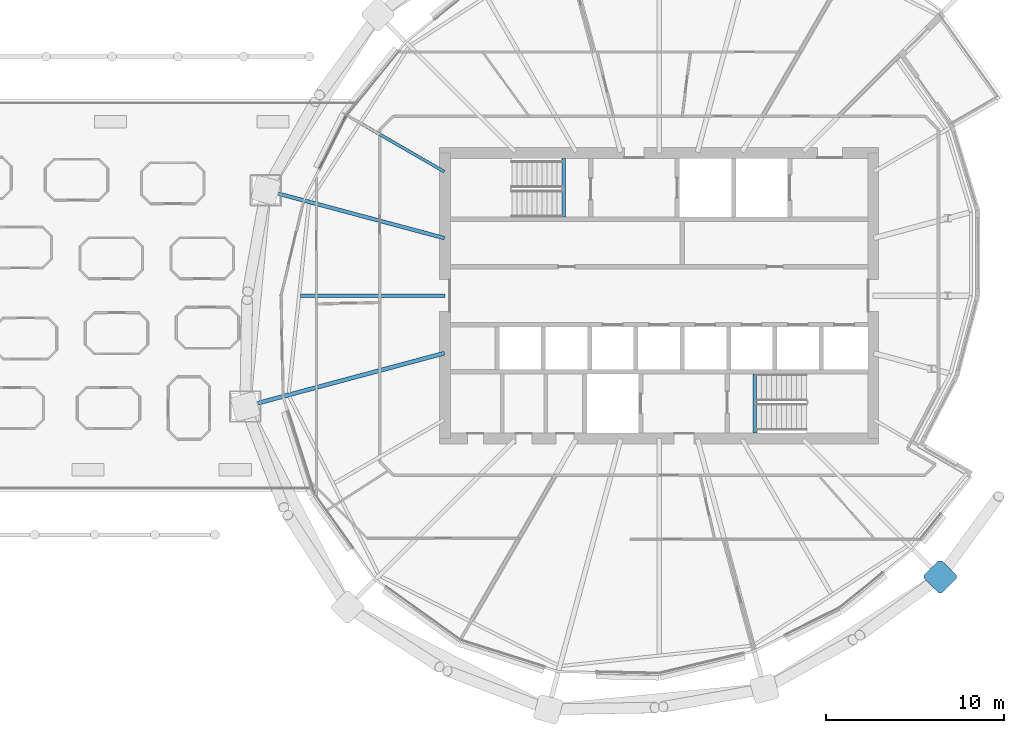
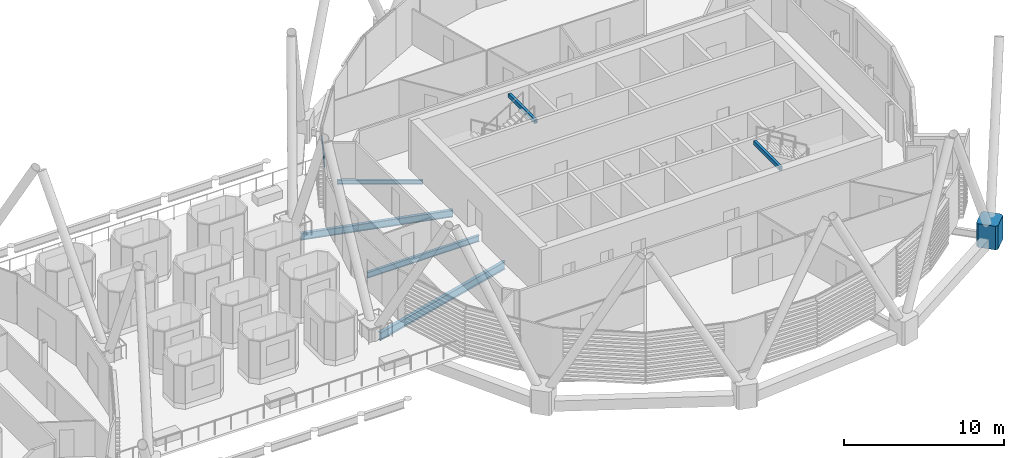
# One storey, part 16 of 38: 6 beams, 2 members, 1 element without a shape of its own.
"""IFC4 building model written with IfcOpenShell, lengths in metres."""

from ifc_helpers import new_model, si_unit, direction, frame, origin, origin_2d, place, context, subcontext, project, spatial, polyline, rectangle, hollow_rectangle, i_section, outline, extrude, material, material_profile, profile_set, type_object, element, aggregate, save


model = new_model("IFC4")

# Units and contexts
model_context = context("Model", 3, precision=1e-05, world=origin(), true_north=direction((0.0, 1.0)))
body_context = subcontext(model_context, "Body", "Model", "MODEL_VIEW")
ifc_project = project(units=[si_unit("LENGTHUNIT", "METRE"), si_unit("AREAUNIT", "SQUARE_METRE"), si_unit("VOLUMEUNIT", "CUBIC_METRE"), si_unit("PLANEANGLEUNIT", "RADIAN"), si_unit("MASSUNIT", "GRAM", prefix="KILO")], contexts=[model_context])

# Site, building, storey
site_placement = place(None, origin())
site = spatial("IfcSite", under=ifc_project, at=site_placement, CompositionType="ELEMENT")
building_placement = place(site_placement, origin())
building = spatial("IfcBuilding", under=site, at=building_placement, Name="Rimbun Link Towers", CompositionType="ELEMENT")
storey_placement = place(building_placement, frame((0.0, 0.0, 158.89990234375)))
storey = spatial("IfcBuildingStorey", under=building, at=storey_placement, Name="L38", CompositionType="ELEMENT", Elevation=158.89990234375)

# Curtain wall, member
ifc_material_1 = material(Name="Aluminium 6063-T6 and low-iron glass", Category="aluminium")
curtain_wall_type = type_object("IfcCurtainWallType", Name="CW1-Z3 unitised vision wall (zone 3)", PredefinedType="NOTDEFINED", material=ifc_material_1)
curtain_wall_placement = place(storey_placement, origin())
curtain_wall = element("IfcCurtainWall", 1, at=curtain_wall_placement, inside=storey, type_object=curtain_wall_type, Name="CW1 L38 T2", PredefinedType="NOTDEFINED")
ifc_material_2 = material(Name="Aluminium 6063-T6", Category="aluminium")
ifc_material_profile_1 = material_profile(ifc_material_2, rectangle(XDim=0.06005859375, YDim=0.1201171875, at=origin_2d()), Name="TRANSOM 60X120")
ifc_profile_set_1 = profile_set([ifc_material_profile_1], Name="Aluminium 6063-T6")
member_type_1 = type_object("IfcMemberType", Name="CW1 transom 60X120", PredefinedType="USERDEFINED", material=ifc_profile_set_1)
member_1_placement = place(storey_placement, frame((12.727294921875, 7.11669921875, 3.2001953125), z_axis=(0.448742327338, 0.893661190639, 0.0), x_axis=(-0.893661190639, 0.448742327338, 0.0)))
member_1 = element("IfcMember", 2, at=member_1_placement, type_object=member_type_1, Name="CW1 transom", ObjectType="TRANSOM", PredefinedType="USERDEFINED", context=body_context, shape_type="SweptSolid", body=[
    extrude(rectangle(XDim=0.06005859375, YDim=0.1201171875, at=origin_2d()), origin(), (0.0, 0.0, 1.0), 3.3203125),
])
aggregate(curtain_wall, [member_1])

# Member
ifc_material_3 = material(Name="Cast steel G20Mn5+QT, Rp0.2 300 MPa", Category="steel")
ifc_material_profile_2 = material_profile(ifc_material_3, outline(polyline([(0.699951171875, -0.570068359375), (0.699951171875, 0.570068359375), (0.570068359375, 0.699951171875), (-0.570068359375, 0.699951171875), (-0.699951171875, 0.570068359375), (-0.699951171875, -0.570068359375), (-0.570068359375, -0.699951171875), (0.570068359375, -0.699951171875), (0.699951171875, -0.570068359375)])), Name="NODE 1400x1400")
ifc_profile_set_2 = profile_set([ifc_material_profile_2], Name="Cast steel G20Mn5+QT, Rp0.2 300 MPa")
member_type_2 = type_object("IfcMemberType", Name="Diagrid node cast 1400", PredefinedType="USERDEFINED", material=ifc_profile_set_2)
member_2_placement = place(storey_placement, frame((47.505859375, -15.755859375, -0.89990234375), z_axis=(0.0, 0.0, 1.0), x_axis=(0.707106781187, -0.707106781187, 0.0)))
element("IfcMember", 3, at=member_2_placement, inside=storey, type_object=member_type_2, Name="Diagrid node L38 18", ObjectType="Diagrid node", PredefinedType="USERDEFINED", context=body_context, shape_type="SweptSolid", body=[
    extrude(outline(polyline([(0.699951171875, -0.570068359375), (0.699951171875, 0.570068359375), (0.570068359375, 0.699951171875), (-0.570068359375, 0.699951171875), (-0.699951171875, 0.570068359375), (-0.699951171875, -0.570068359375), (-0.570068359375, -0.699951171875), (0.570068359375, -0.699951171875), (0.699951171875, -0.570068359375)])), origin(), (0.0, 0.0, 1.0), 1.800048828125),
])

# Beams
ifc_material_4 = material(Name="Steel S355J2", Category="steel")
ifc_material_profile_3 = material_profile(ifc_material_4, hollow_rectangle(XDim=0.199951171875, YDim=0.300048828125, WallThickness=0.011962890625, at=origin_2d()), Name="BOX 300x200x12")
ifc_profile_set_3 = profile_set([ifc_material_profile_3], Name="Steel S355J2")
beam_type_1 = type_object("IfcBeamType", Name="Stair trimmer beam BOX 300x200x12", PredefinedType="BEAM", material=ifc_profile_set_3)
for number, where, z_axis, x_axis, name in (
    (4, (26.39990234375, 7.699951171875, 3.5), (0.0, -1.0, 0.0), (1.0, 0.0, 0.0), "L38 ST3 stair beam 1"),
    (5, (37.10009765625, -7.699951171875, 3.5), (0.0, 1.0, 0.0), (-1.0, 0.0, 0.0), "L38 ST4 stair beam 1"),
):
    element("IfcBeam", number, at=place(storey_placement, frame(where, z_axis=z_axis, x_axis=x_axis)), inside=storey, type_object=beam_type_1, Name=name, PredefinedType="BEAM", context=body_context, shape_type="SweptSolid", body=[
        extrude(hollow_rectangle(XDim=0.199951171875, YDim=0.300048828125, WallThickness=0.011962890625, at=origin_2d()), origin(), (0.0, 0.0, 1.0), 3.300048828125),
    ])
ifc_material_5 = material(Name="Steel S355J2", Category="steel")
ifc_material_profile_4 = material_profile(ifc_material_5, i_section(OverallWidth=0.1650390625, OverallDepth=0.303466796875, WebThickness=0.006103515625, FlangeThickness=0.01025390625, at=origin_2d()), Name="UB 305x165x40")
ifc_profile_set_4 = profile_set([ifc_material_profile_4], Name="Steel S355J2")
beam_type_2 = type_object("IfcBeamType", Name="UB 305x165x40", PredefinedType="BEAM", material=ifc_profile_set_4)
beam_1_placement = place(storey_placement, frame((19.7080078125, 6.952392578125, -0.301513671875), z_axis=(-0.86601800529, 0.500012814349, 0.0), x_axis=(-0.500012814349, -0.86601800529, 0.0)))
element("IfcBeam", 6, at=beam_1_placement, inside=storey, type_object=beam_type_2, Name="Radial beam T2 L38 07", PredefinedType="BEAM", context=body_context, shape_type="SweptSolid", body=[
    extrude(i_section(OverallWidth=0.1650390625, OverallDepth=0.303466796875, WebThickness=0.006103515625, FlangeThickness=0.01025390625, at=origin_2d()), origin(), (0.0, 0.0, 1.0), 5.361572265625),
])
ifc_material_6 = material(Name="Steel S355J2", Category="steel")
ifc_material_profile_5 = material_profile(ifc_material_6, i_section(OverallWidth=0.18994140625, OverallDepth=0.453369140625, WebThickness=0.008544921875, FlangeThickness=0.0126953125, at=origin_2d()), Name="UB 457x191x67")
ifc_profile_set_5 = profile_set([ifc_material_profile_5], Name="Steel S355J2")
beam_type_3 = type_object("IfcBeamType", Name="UB 457x191x67", PredefinedType="BEAM", material=ifc_profile_set_5)
beam_2_placement = place(storey_placement, frame((19.7490234375, 0.0, -0.376708984375), z_axis=(-1.0, 0.0, 0.0), x_axis=(0.0, -1.0, 0.0)))
element("IfcBeam", 7, at=beam_2_placement, inside=storey, type_object=beam_type_3, Name="Radial beam T2 L38 09", PredefinedType="BEAM", context=body_context, shape_type="SweptSolid", body=[
    extrude(i_section(OverallWidth=0.18994140625, OverallDepth=0.453369140625, WebThickness=0.008544921875, FlangeThickness=0.0126953125, at=origin_2d()), origin(), (0.0, 0.0, 1.0), 8.0810546875),
])
ifc_material_7 = material(Name="Steel S355J2", Category="steel")
ifc_material_profile_6 = material_profile(ifc_material_7, i_section(OverallWidth=0.209228515625, OverallDepth=0.533203125, WebThickness=0.010009765625, FlangeThickness=0.015625, at=origin_2d()), Name="UB 533x210x92")
ifc_profile_set_6 = profile_set([ifc_material_profile_6], Name="Steel S355J2")
beam_type_4 = type_object("IfcBeamType", Name="UB 533x210x92", PredefinedType="BEAM", material=ifc_profile_set_6)
beam_3_placement = place(storey_placement, frame((19.721923828125, 3.222900390625, -0.41650390625), z_axis=(-0.965921408125, 0.258835533353, 0.0), x_axis=(-0.258835533353, -0.965921408125, 0.0)))
element("IfcBeam", 8, at=beam_3_placement, inside=storey, type_object=beam_type_4, Name="Radial beam T2 L38 08", PredefinedType="BEAM", context=body_context, shape_type="SweptSolid", body=[
    extrude(i_section(OverallWidth=0.209228515625, OverallDepth=0.533203125, WebThickness=0.010009765625, FlangeThickness=0.015625, at=origin_2d()), origin(), (0.0, 0.0, 1.0), 9.857666015625),
])
ifc_material_8 = material(Name="Steel S355J2", Category="steel")
ifc_material_profile_7 = material_profile(ifc_material_8, i_section(OverallWidth=0.2275390625, OverallDepth=0.6025390625, WebThickness=0.010498046875, FlangeThickness=0.014892578125, at=origin_2d()), Name="UB 610x229x101")
ifc_profile_set_7 = profile_set([ifc_material_profile_7], Name="Steel S355J2")
beam_type_5 = type_object("IfcBeamType", Name="UB 610x229x101", PredefinedType="BEAM", material=ifc_profile_set_7)
beam_4_placement = place(storey_placement, frame((19.719482421875, -3.223388671875, -0.451171875), z_axis=(-0.965921422713, -0.258835478912, 0.0), x_axis=(0.258835478912, -0.965921422713, 0.0)))
element("IfcBeam", 9, at=beam_4_placement, inside=storey, type_object=beam_type_5, Name="Radial beam T2 L38 10", PredefinedType="BEAM", context=body_context, shape_type="SweptSolid", body=[
    extrude(i_section(OverallWidth=0.2275390625, OverallDepth=0.6025390625, WebThickness=0.010498046875, FlangeThickness=0.014892578125, at=origin_2d()), origin(), (0.0, 0.0, 1.0), 11.0498046875),
])

save(model, "model.ifc")
